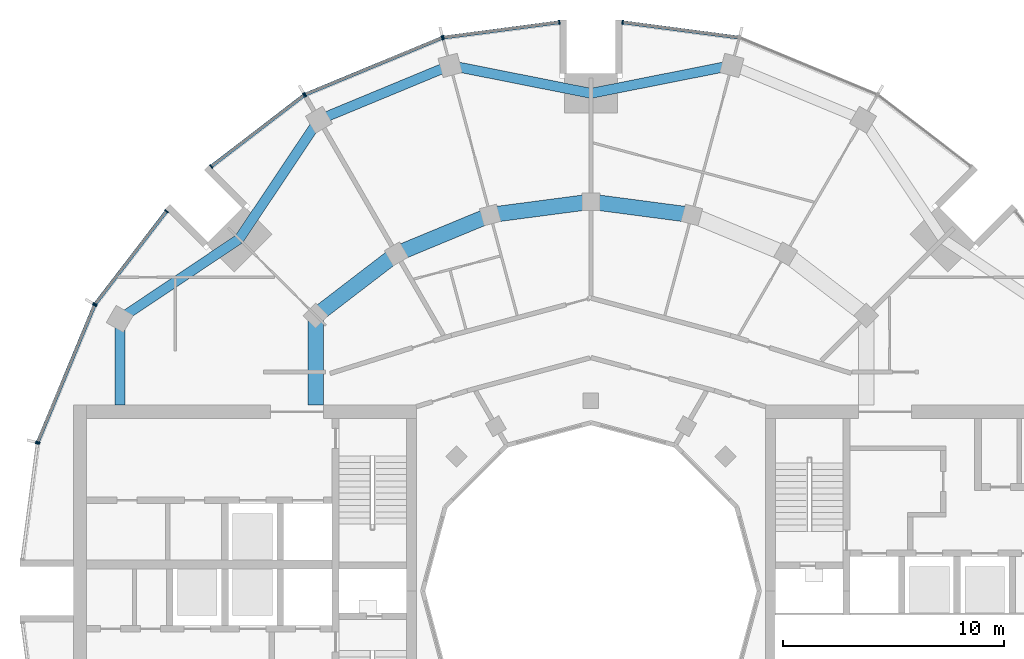
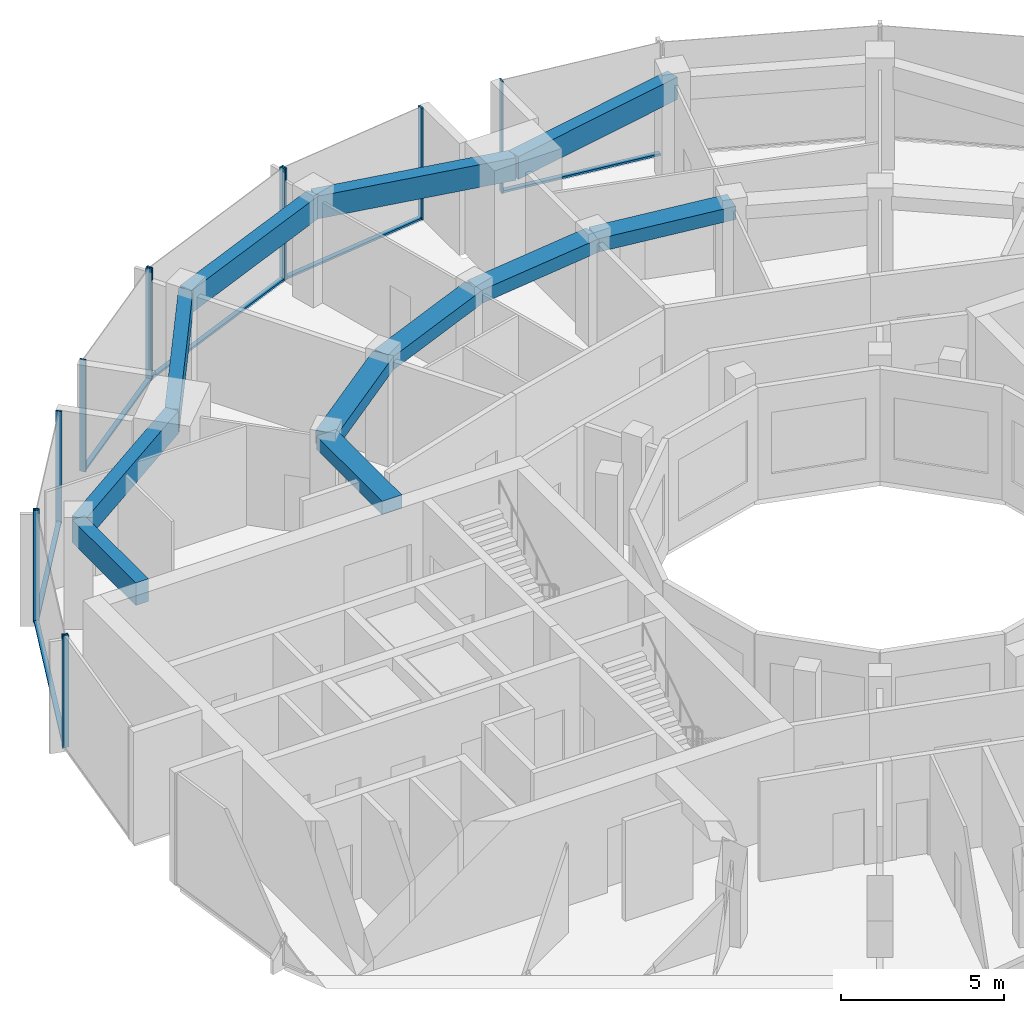
# One storey, part 5 of 15: 18 members, 11 beams, 7 elements without a shape of their own.
"""IFC4 building model written with IfcOpenShell, lengths in metres."""

from ifc_helpers import new_model, si_unit, direction, frame, origin, origin_2d, place, context, subcontext, project, spatial, rectangle, extrude, material, layer, layer_set, material_profile, profile_set, type_object, element, aggregate, save


model = new_model("IFC4")

# Units and contexts
model_context = context("Model", 3, precision=1e-05, world=origin(), true_north=direction((0.0, 1.0)))
body_context = subcontext(model_context, "Body", "Model", "MODEL_VIEW")
ifc_project = project(units=[si_unit("LENGTHUNIT", "METRE"), si_unit("AREAUNIT", "SQUARE_METRE"), si_unit("VOLUMEUNIT", "CUBIC_METRE"), si_unit("PLANEANGLEUNIT", "RADIAN"), si_unit("MASSUNIT", "GRAM", prefix="KILO")], contexts=[model_context])

# Site, building, storey
site_placement = place(None, origin())
site = spatial("IfcSite", under=ifc_project, at=site_placement, CompositionType="ELEMENT")
building_placement = place(site_placement, origin())
building = spatial("IfcBuilding", under=site, at=building_placement, Name="Torre Brocal", CompositionType="ELEMENT")
storey_placement = place(building_placement, frame((0.0, 0.0, 212.5)))
storey = spatial("IfcBuildingStorey", under=building, at=storey_placement, Name="L49", CompositionType="ELEMENT", Elevation=212.5)

# Curtain wall, member
ifc_material_1 = material(Name="Aluminium and glass", Category="aluminium")
ifc_layer_1 = layer(ifc_material_1, 0.199951171875)
ifc_layer_set_1 = layer_set([ifc_layer_1], Name="Aluminium and glass")
curtain_wall_type_1 = type_object("IfcCurtainWallType", Name="CW-1 CURTAIN WALL 4200 HIGH", PredefinedType="NOTDEFINED", material=ifc_layer_set_1)
curtain_wall_1_placement = place(storey_placement, origin())
curtain_wall_1 = element("IfcCurtainWall", 1, at=curtain_wall_1_placement, inside=storey, type_object=curtain_wall_type_1, Name="CW-1 RUN 6", PredefinedType="NOTDEFINED")
ifc_material_2 = material(Name="Aluminium, dark anodised", Category="aluminium")
ifc_material_profile_1 = material_profile(ifc_material_2, rectangle(XDim=0.199951171875, YDim=0.06005859375, at=origin_2d()), Name="CW-1 MULLION 60X200")
ifc_profile_set_1 = profile_set([ifc_material_profile_1], Name="Aluminium, dark anodised")
member_type_1 = type_object("IfcMemberType", Name="CW-1 MULLION 60X200", PredefinedType="MULLION", material=ifc_profile_set_1)
member_1_placement = place(storey_placement, frame((81.4296875, 100.7109375, 0.0), z_axis=(0.0, 0.0, 1.0), x_axis=(-0.13052619222, -0.991444861374, 0.0)))
member_1 = element("IfcMember", 2, at=member_1_placement, type_object=member_type_1, Name="CW1-5 mullion 2", PredefinedType="MULLION", context=body_context, shape_type="SweptSolid", body=[
    extrude(rectangle(XDim=0.199951171875, YDim=0.06005859375, at=origin_2d()), origin(), (0.0, 0.0, 1.0), 4.199951171875),
])

# Curtain wall, members
curtain_wall_2_placement = place(storey_placement, origin())
curtain_wall_2 = element("IfcCurtainWall", 3, at=curtain_wall_2_placement, inside=storey, type_object=curtain_wall_type_1, Name="CW-1 RUN 7", PredefinedType="NOTDEFINED")
member_2_placement = place(storey_placement, frame((78.5703125, 100.7109375, 0.0), z_axis=(0.0, 0.0, 1.0), x_axis=(0.13052619222, -0.991444861374, 0.0)))
member_2 = element("IfcMember", 4, at=member_2_placement, type_object=member_type_1, Name="CW1-5 mullion 1", PredefinedType="MULLION", context=body_context, shape_type="SweptSolid", body=[
    extrude(rectangle(XDim=0.199951171875, YDim=0.06005859375, at=origin_2d()), origin(), (0.0, 0.0, 1.0), 4.199951171875),
])
member_3_placement = place(storey_placement, frame((73.32666015625, 100.0205078125, 0.0), z_axis=(0.0, 0.0, 1.0), x_axis=(0.13052619222, -0.991444861374, 0.0)))
member_3 = element("IfcMember", 5, at=member_3_placement, type_object=member_type_1, Name="CW1-5 mullion 2", PredefinedType="MULLION", context=body_context, shape_type="SweptSolid", body=[
    extrude(rectangle(XDim=0.199951171875, YDim=0.06005859375, at=origin_2d()), origin(), (0.0, 0.0, 1.0), 4.199951171875),
])

curtain_wall_3_placement = place(storey_placement, origin())
curtain_wall_3 = element("IfcCurtainWall", 6, at=curtain_wall_3_placement, inside=storey, type_object=curtain_wall_type_1, Name="CW-1 RUN 8", PredefinedType="NOTDEFINED")
member_4_placement = place(storey_placement, frame((73.26904296875, 100.005126953125, 0.0), z_axis=(0.0, 0.0, 1.0), x_axis=(0.382683432333, -0.923879532525, 0.0)))
member_4 = element("IfcMember", 7, at=member_4_placement, type_object=member_type_1, Name="CW1-5 mullion 1", PredefinedType="MULLION", context=body_context, shape_type="SweptSolid", body=[
    extrude(rectangle(XDim=0.199951171875, YDim=0.06005859375, at=origin_2d()), origin(), (0.0, 0.0, 1.0), 4.199951171875),
])
member_5_placement = place(storey_placement, frame((67.078125, 97.440673828125, 0.0), z_axis=(0.0, 0.0, 1.0), x_axis=(0.382683432333, -0.923879532525, 0.0)))
member_5 = element("IfcMember", 8, at=member_5_placement, type_object=member_type_1, Name="CW1-5 mullion 2", PredefinedType="MULLION", context=body_context, shape_type="SweptSolid", body=[
    extrude(rectangle(XDim=0.199951171875, YDim=0.06005859375, at=origin_2d()), origin(), (0.0, 0.0, 1.0), 4.199951171875),
])

curtain_wall_4_placement = place(storey_placement, origin())
curtain_wall_4 = element("IfcCurtainWall", 9, at=curtain_wall_4_placement, inside=storey, type_object=curtain_wall_type_1, Name="CW-1 RUN 9", PredefinedType="NOTDEFINED")
member_6_placement = place(storey_placement, frame((67.026611328125, 97.4111328125, 0.0), z_axis=(0.0, 0.0, 1.0), x_axis=(0.60876142905, -0.793353340259, 0.0)))
member_6 = element("IfcMember", 10, at=member_6_placement, type_object=member_type_1, Name="CW1-5 mullion 1", PredefinedType="MULLION", context=body_context, shape_type="SweptSolid", body=[
    extrude(rectangle(XDim=0.199951171875, YDim=0.06005859375, at=origin_2d()), origin(), (0.0, 0.0, 1.0), 4.199951171875),
])
member_7_placement = place(storey_placement, frame((62.83056640625, 94.19140625, 0.0), z_axis=(0.0, 0.0, 1.0), x_axis=(0.60876142905, -0.793353340259, 0.0)))
member_7 = element("IfcMember", 11, at=member_7_placement, type_object=member_type_1, Name="CW1-5 mullion 2", PredefinedType="MULLION", context=body_context, shape_type="SweptSolid", body=[
    extrude(rectangle(XDim=0.199951171875, YDim=0.06005859375, at=origin_2d()), origin(), (0.0, 0.0, 1.0), 4.199951171875),
])

curtain_wall_5_placement = place(storey_placement, origin())
curtain_wall_5 = element("IfcCurtainWall", 12, at=curtain_wall_5_placement, inside=storey, type_object=curtain_wall_type_1, Name="CW-1 RUN 10", PredefinedType="NOTDEFINED")
member_8_placement = place(storey_placement, frame((60.80859375, 92.16943359375, 0.0), z_axis=(0.0, 0.0, 1.0), x_axis=(0.793353340259, -0.60876142905, 0.0)))
member_8 = element("IfcMember", 13, at=member_8_placement, type_object=member_type_1, Name="CW1-5 mullion 1", PredefinedType="MULLION", context=body_context, shape_type="SweptSolid", body=[
    extrude(rectangle(XDim=0.199951171875, YDim=0.06005859375, at=origin_2d()), origin(), (0.0, 0.0, 1.0), 4.199951171875),
])
member_9_placement = place(storey_placement, frame((57.5888671875, 87.973388671875, 0.0), z_axis=(0.0, 0.0, 1.0), x_axis=(0.793353340259, -0.60876142905, 0.0)))
member_9 = element("IfcMember", 14, at=member_9_placement, type_object=member_type_1, Name="CW1-5 mullion 2", PredefinedType="MULLION", context=body_context, shape_type="SweptSolid", body=[
    extrude(rectangle(XDim=0.199951171875, YDim=0.06005859375, at=origin_2d()), origin(), (0.0, 0.0, 1.0), 4.199951171875),
])

curtain_wall_6_placement = place(storey_placement, origin())
curtain_wall_6 = element("IfcCurtainWall", 15, at=curtain_wall_6_placement, inside=storey, type_object=curtain_wall_type_1, Name="CW-1 RUN 11", PredefinedType="NOTDEFINED")
member_10_placement = place(storey_placement, frame((57.559326171875, 87.921875, 0.0), z_axis=(0.0, 0.0, 1.0), x_axis=(0.923879532525, -0.382683432333, 0.0)))
member_10 = element("IfcMember", 16, at=member_10_placement, type_object=member_type_1, Name="CW1-5 mullion 1", PredefinedType="MULLION", context=body_context, shape_type="SweptSolid", body=[
    extrude(rectangle(XDim=0.199951171875, YDim=0.06005859375, at=origin_2d()), origin(), (0.0, 0.0, 1.0), 4.199951171875),
])
member_11_placement = place(storey_placement, frame((54.994873046875, 81.73095703125, 0.0), z_axis=(0.0, 0.0, 1.0), x_axis=(0.923879532525, -0.382683432333, 0.0)))
member_11 = element("IfcMember", 17, at=member_11_placement, type_object=member_type_1, Name="CW1-5 mullion 2", PredefinedType="MULLION", context=body_context, shape_type="SweptSolid", body=[
    extrude(rectangle(XDim=0.199951171875, YDim=0.06005859375, at=origin_2d()), origin(), (0.0, 0.0, 1.0), 4.199951171875),
])

# Member
ifc_material_3 = material(Name="Aluminium, dark anodised", Category="aluminium")
ifc_material_profile_2 = material_profile(ifc_material_3, rectangle(XDim=0.159912109375, YDim=0.080078125, at=origin_2d()), Name="CW-1 TRANSOM 160X80")
ifc_profile_set_2 = profile_set([ifc_material_profile_2], Name="Aluminium, dark anodised")
member_type_2 = type_object("IfcMemberType", Name="CW-1 TRANSOM 160X80", PredefinedType="USERDEFINED", material=ifc_profile_set_2)
member_12_placement = place(storey_placement, frame((86.643798828125, 100.0244140625, 0.0400390625), z_axis=(-0.991442690863, 0.130542677827, 0.0), x_axis=(-0.130542677827, -0.991442690863, 0.0)))
member_12 = element("IfcMember", 18, at=member_12_placement, type_object=member_type_2, Name="CW1-5 transom 1.1", ObjectType="TRANSOM", PredefinedType="USERDEFINED", context=body_context, shape_type="SweptSolid", body=[
    extrude(rectangle(XDim=0.159912109375, YDim=0.080078125, at=origin_2d()), origin(), (0.0, 0.0, 1.0), 5.22900390625),
])

aggregate(curtain_wall_1, [member_1, member_12])

member_13_placement = place(storey_placement, frame((78.54052734375, 100.70703125, 0.0400390625), z_axis=(-0.991442690863, -0.130542677827, 0.0), x_axis=(0.130542677827, -0.991442690863, 0.0)))
member_13 = element("IfcMember", 19, at=member_13_placement, type_object=member_type_2, Name="CW1-5 transom 1.1", ObjectType="TRANSOM", PredefinedType="USERDEFINED", context=body_context, shape_type="SweptSolid", body=[
    extrude(rectangle(XDim=0.159912109375, YDim=0.080078125, at=origin_2d()), origin(), (0.0, 0.0, 1.0), 5.22900390625),
])

aggregate(curtain_wall_2, [member_2, member_3, member_13])

member_14_placement = place(storey_placement, frame((73.241455078125, 99.99365234375, 0.0400390625), z_axis=(-0.923887344364, -0.38266457234, 0.0), x_axis=(0.38266457234, -0.923887344364, 0.0)))
member_14 = element("IfcMember", 20, at=member_14_placement, type_object=member_type_2, Name="CW1-5 transom 1.1", ObjectType="TRANSOM", PredefinedType="USERDEFINED", context=body_context, shape_type="SweptSolid", body=[
    extrude(rectangle(XDim=0.159912109375, YDim=0.080078125, at=origin_2d()), origin(), (0.0, 0.0, 1.0), 6.640869140625),
])

aggregate(curtain_wall_3, [member_4, member_5, member_14])

member_15_placement = place(storey_placement, frame((67.0029296875, 97.392822265625, 0.0400390625), z_axis=(-0.79336281513, -0.60874908096, 0.0), x_axis=(0.60874908096, -0.79336281513, 0.0)))
member_15 = element("IfcMember", 21, at=member_15_placement, type_object=member_type_2, Name="CW1-5 transom 1.1", ObjectType="TRANSOM", PredefinedType="USERDEFINED", context=body_context, shape_type="SweptSolid", body=[
    extrude(rectangle(XDim=0.159912109375, YDim=0.080078125, at=origin_2d()), origin(), (0.0, 0.0, 1.0), 5.22900390625),
])

aggregate(curtain_wall_4, [member_6, member_7, member_15])

member_16_placement = place(storey_placement, frame((60.790283203125, 92.1455078125, 0.0400390625), z_axis=(-0.60874908096, -0.79336281513, 0.0), x_axis=(0.79336281513, -0.60874908096, 0.0)))
member_16 = element("IfcMember", 22, at=member_16_placement, type_object=member_type_2, Name="CW1-5 transom 1.1", ObjectType="TRANSOM", PredefinedType="USERDEFINED", context=body_context, shape_type="SweptSolid", body=[
    extrude(rectangle(XDim=0.159912109375, YDim=0.080078125, at=origin_2d()), origin(), (0.0, 0.0, 1.0), 5.22900390625),
])

aggregate(curtain_wall_5, [member_8, member_9, member_16])

member_17_placement = place(storey_placement, frame((57.547607421875, 87.89404296875, 0.0400390625), z_axis=(-0.38266457234, -0.923887344364, 0.0), x_axis=(0.923887344364, -0.38266457234, 0.0)))
member_17 = element("IfcMember", 23, at=member_17_placement, type_object=member_type_2, Name="CW1-5 transom 1.1", ObjectType="TRANSOM", PredefinedType="USERDEFINED", context=body_context, shape_type="SweptSolid", body=[
    extrude(rectangle(XDim=0.159912109375, YDim=0.080078125, at=origin_2d()), origin(), (0.0, 0.0, 1.0), 6.640869140625),
])

aggregate(curtain_wall_6, [member_10, member_11, member_17])

# Curtain wall, member
ifc_material_4 = material(Name="Aluminium and glass", Category="aluminium")
ifc_layer_2 = layer(ifc_material_4, 0.199951171875)
ifc_layer_set_2 = layer_set([ifc_layer_2], Name="Aluminium and glass")
curtain_wall_type_2 = type_object("IfcCurtainWallType", Name="CW-1B CURTAIN WALL 4200 HIGH", PredefinedType="NOTDEFINED", material=ifc_layer_set_2)
curtain_wall_7_placement = place(storey_placement, origin())
curtain_wall_7 = element("IfcCurtainWall", 24, at=curtain_wall_7_placement, inside=storey, type_object=curtain_wall_type_2, Name="CW-1B RUN 12", PredefinedType="NOTDEFINED")
ifc_material_5 = material(Name="Aluminium, dark anodised", Category="aluminium")
ifc_material_profile_3 = material_profile(ifc_material_5, rectangle(XDim=0.199951171875, YDim=0.06005859375, at=origin_2d()), Name="CW-1B MULLION 60X200")
ifc_profile_set_3 = profile_set([ifc_material_profile_3], Name="Aluminium, dark anodised")
member_type_3 = type_object("IfcMemberType", Name="CW-1B MULLION 60X200", PredefinedType="MULLION", material=ifc_profile_set_3)
member_18_placement = place(storey_placement, frame((54.9794921875, 81.67333984375, 0.0), z_axis=(0.0, 0.0, 1.0), x_axis=(0.991444861374, -0.13052619222, 0.0)))
member_18 = element("IfcMember", 25, at=member_18_placement, type_object=member_type_3, Name="CW1B-5 mullion 1", PredefinedType="MULLION", context=body_context, shape_type="SweptSolid", body=[
    extrude(rectangle(XDim=0.199951171875, YDim=0.06005859375, at=origin_2d()), origin(), (0.0, 0.0, 1.0), 4.199951171875),
])
aggregate(curtain_wall_7, [member_18])

# Beams
ifc_material_6 = material(Name="Concrete C50", Category="concrete")
ifc_material_profile_4 = material_profile(ifc_material_6, rectangle(XDim=0.699951171875, YDim=0.5, at=origin_2d()), Name="RC 700X500")
ifc_profile_set_4 = profile_set([ifc_material_profile_4], Name="Concrete C50")
beam_type_1 = type_object("IfcBeamType", Name="RC BEAM 700X500 C50 TOP 3880", PredefinedType="BEAM", material=ifc_profile_set_4)
for number, where, z_axis, x_axis, name in (
    (26, (84.55517578125, 92.000244140625, 3.6298828125), (-0.991440544449, 0.130558978332, 0.0), (-0.130558978332, -0.991440544449, 0.0), "Beam BT-37"),
    (27, (80.0, 92.60009765625, 3.6298828125), (-0.991440544449, -0.130558978332, 0.0), (0.130558978332, -0.991440544449, 0.0), "Beam BT-37"),
):
    element("IfcBeam", number, at=place(storey_placement, frame(where, z_axis=z_axis, x_axis=x_axis)), inside=storey, type_object=beam_type_1, Name=name, PredefinedType="BEAM", context=body_context, shape_type="SweptSolid", body=[
        extrude(rectangle(XDim=0.699951171875, YDim=0.5, at=origin_2d()), origin(), (0.0, 0.0, 1.0), 4.594482421875),
    ])
beam_1_placement = place(storey_placement, frame((75.44482421875, 92.000244140625, 3.6298828125), z_axis=(-0.923878240166, -0.382686552348, 0.0), x_axis=(0.382686552348, -0.923878240166, 0.0)))
element("IfcBeam", 28, at=beam_1_placement, inside=storey, type_object=beam_type_1, Name="Beam BT-37", PredefinedType="BEAM", context=body_context, shape_type="SweptSolid", body=[
    extrude(rectangle(XDim=0.699951171875, YDim=0.5, at=origin_2d()), origin(), (0.0, 0.0, 1.0), 4.5947265625),
])
beam_2_placement = place(storey_placement, frame((71.199951171875, 90.241943359375, 3.6298828125), z_axis=(-0.793358265959, -0.6087550097, 0.0), x_axis=(0.6087550097, -0.793358265959, 0.0)))
element("IfcBeam", 29, at=beam_2_placement, inside=storey, type_object=beam_type_1, Name="Beam BT-37", PredefinedType="BEAM", context=body_context, shape_type="SweptSolid", body=[
    extrude(rectangle(XDim=0.699951171875, YDim=0.5, at=origin_2d()), origin(), (0.0, 0.0, 1.0), 4.594482421875),
])
beam_3_placement = place(storey_placement, frame((67.554931640625, 87.445068359375, 3.6298828125), z_axis=(0.0, -1.0, 0.0), x_axis=(1.0, 0.0, 0.0)))
element("IfcBeam", 30, at=beam_3_placement, inside=storey, type_object=beam_type_1, Name="Beam BT-37", PredefinedType="BEAM", context=body_context, shape_type="SweptSolid", body=[
    extrude(rectangle(XDim=0.699951171875, YDim=0.5, at=origin_2d()), origin(), (0.0, 0.0, 1.0), 4.045166015625),
])
ifc_material_7 = material(Name="Concrete C50", Category="concrete")
ifc_material_profile_5 = material_profile(ifc_material_7, rectangle(XDim=0.449951171875, YDim=0.85009765625, at=origin_2d()), Name="RC 450X850")
ifc_profile_set_5 = profile_set([ifc_material_profile_5], Name="Concrete C50")
beam_type_2 = type_object("IfcBeamType", Name="RC SPANDREL BEAM 450X850 C50 TOP 3880", PredefinedType="SPANDREL", material=ifc_profile_set_5)
for number, where, z_axis, x_axis, name in (
    (31, (86.366943359375, 98.76171875, 3.455078125), (-0.980924907484, -0.194387051723, 0.0), (0.194387051723, -0.980924907484, 0.0), "Beam BT-38"),
    (32, (80.0, 97.5, 3.455078125), (-0.980924907484, 0.194387051723, 0.0), (-0.194387051723, -0.980924907484, 0.0), "Beam BT-38"),
):
    element("IfcBeam", number, at=place(storey_placement, frame(where, z_axis=z_axis, x_axis=x_axis)), inside=storey, type_object=beam_type_2, Name=name, PredefinedType="SPANDREL", context=body_context, shape_type="SweptSolid", body=[
        extrude(rectangle(XDim=0.449951171875, YDim=0.85009765625, at=origin_2d()), origin(), (0.0, 0.0, 1.0), 6.49072265625),
    ])
beam_4_placement = place(storey_placement, frame((73.633056640625, 98.76171875, 3.455078125), z_axis=(-0.923882462513, -0.382676358639, 0.0), x_axis=(0.382676358639, -0.923882462513, 0.0)))
element("IfcBeam", 33, at=beam_4_placement, inside=storey, type_object=beam_type_2, Name="Beam BT-38", PredefinedType="SPANDREL", context=body_context, shape_type="SweptSolid", body=[
    extrude(rectangle(XDim=0.449951171875, YDim=0.85009765625, at=origin_2d()), origin(), (0.0, 0.0, 1.0), 6.421875),
])
for number, where, z_axis, x_axis, name in (
    (34, (67.699951171875, 96.30419921875, 3.455078125), (-0.556157602282, -0.831076844476, 0.0), (0.831076844476, -0.556157602282, 0.0), "Beam BT-38"),
    (35, (64.090087890625, 90.909912109375, 3.455078125), (-0.831076844476, -0.556157602282, 0.0), (0.556157602282, -0.831076844476, 0.0), "Beam BT-38"),
):
    element("IfcBeam", number, at=place(storey_placement, frame(where, z_axis=z_axis, x_axis=x_axis)), inside=storey, type_object=beam_type_2, Name=name, PredefinedType="SPANDREL", context=body_context, shape_type="SweptSolid", body=[
        extrude(rectangle(XDim=0.449951171875, YDim=0.85009765625, at=origin_2d()), origin(), (0.0, 0.0, 1.0), 6.49072265625),
    ])
beam_5_placement = place(storey_placement, frame((58.69580078125, 87.300048828125, 3.455078125), z_axis=(0.0, -1.0, 0.0), x_axis=(1.0, 0.0, 0.0)))
element("IfcBeam", 36, at=beam_5_placement, inside=storey, type_object=beam_type_2, Name="Beam BT-38", PredefinedType="SPANDREL", context=body_context, shape_type="SweptSolid", body=[
    extrude(rectangle(XDim=0.449951171875, YDim=0.85009765625, at=origin_2d()), origin(), (0.0, 0.0, 1.0), 3.900146484375),
])

save(model, "model.ifc")
